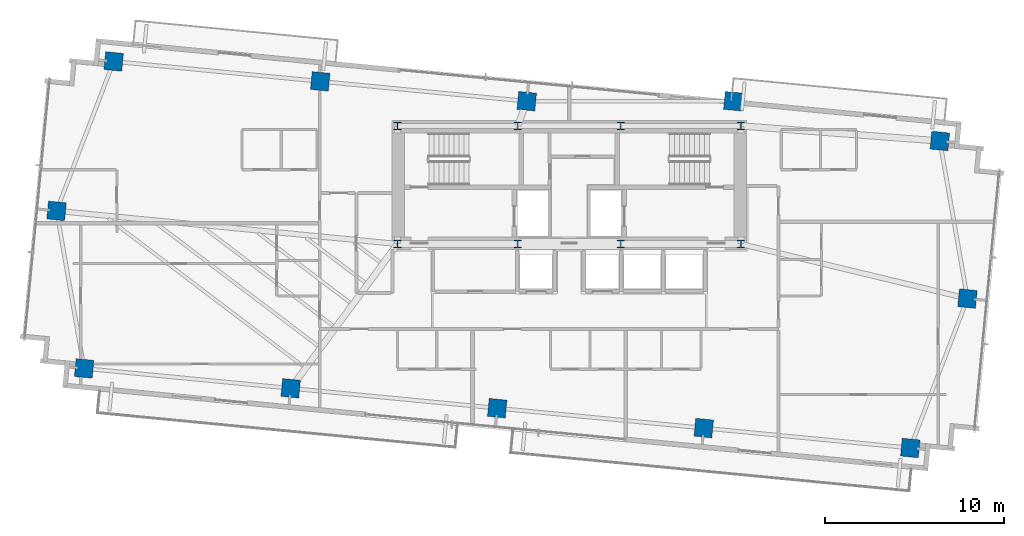
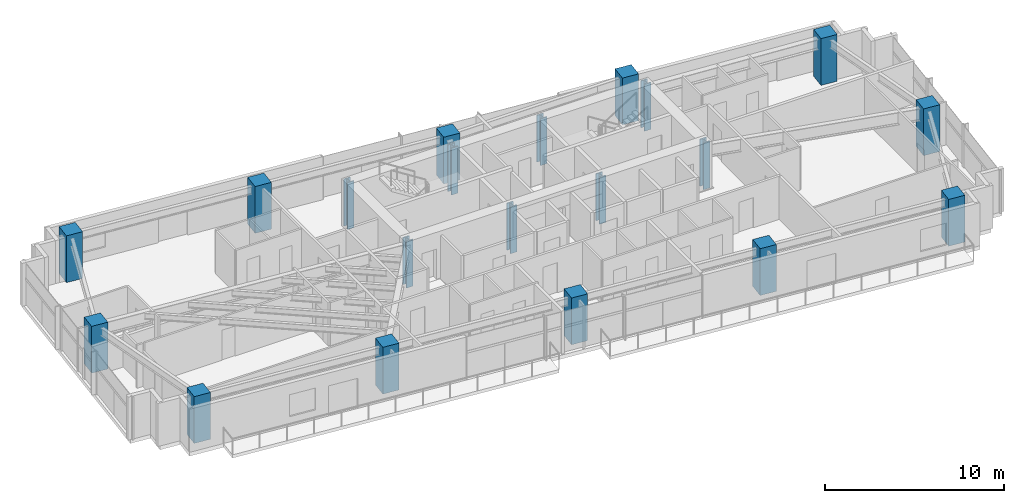
# One storey, part 1 of 20: 20 columns.
"""IFC4 building model written with IfcOpenShell, lengths in metres."""

from ifc_helpers import new_model, si_unit, direction, frame, origin, origin_2d, place, context, subcontext, project, spatial, rectangle, i_section, extrude, source, transform, mapped, material, material_profile, profile_set, type_object, type_shapes, element, save


model = new_model("IFC4")

# Units and contexts
model_context = context("Model", 3, precision=1e-05, world=origin(), true_north=direction((0.0, 1.0)))
body_context = subcontext(model_context, "Body", "Model", "MODEL_VIEW")
ifc_project = project(units=[si_unit("LENGTHUNIT", "METRE"), si_unit("AREAUNIT", "SQUARE_METRE"), si_unit("VOLUMEUNIT", "CUBIC_METRE"), si_unit("PLANEANGLEUNIT", "RADIAN"), si_unit("MASSUNIT", "GRAM", prefix="KILO")], contexts=[model_context])

# Site, building, storey
site_placement = place(None, origin())
site = spatial("IfcSite", under=ifc_project, at=site_placement, CompositionType="ELEMENT")
building_placement = place(site_placement, origin())
building = spatial("IfcBuilding", under=site, at=building_placement, Name="Astriad Promenade Condominiums", CompositionType="ELEMENT")
storey_placement = place(building_placement, frame((0.0, 0.0, 156.60009765625)))
storey = spatial("IfcBuildingStorey", under=building, at=storey_placement, Name="L45", CompositionType="ELEMENT", Elevation=156.60009765625)

# Columns
ifc_material_1 = material(Name="Steel ASTM A992 Grade 50", Category="steel")
ifc_material_profile_1 = material_profile(ifc_material_1, i_section(OverallWidth=0.42138671875, OverallDepth=0.464599609375, WebThickness=0.044921875, FlangeThickness=0.072509765625, FilletRadius=0.017822265625, at=origin_2d()), Name="W14X398")
ifc_profile_set_1 = profile_set([ifc_material_profile_1], Name="Steel ASTM A992 Grade 50")
column_type_1 = type_object("IfcColumnType", Name="STEEL CORE PILASTER W14X398", PredefinedType="PILASTER", material=ifc_profile_set_1)
shared_shape_1 = source(origin(), body_context, "Body", "SweptSolid", [
    extrude(i_section(OverallWidth=0.42138671875, OverallDepth=0.464599609375, WebThickness=0.044921875, FlangeThickness=0.072509765625, FilletRadius=0.017822265625, at=origin_2d()), origin(), (0.0, 0.0, 1.0), 3.196044921875),
])
type_shapes(column_type_1, [shared_shape_1])
for number, where, z_axis, x_axis, name in (
    (1, (26.39990234375, 17.39990234375, 0.001953125), (0.0, 0.0, 1.0), (1.0, 0.0, 0.0), "Core Pilaster Column CP1 (L45)"),
    (2, (33.1201171875, 17.39990234375, 0.001953125), (0.0, 0.0, 1.0), (1.0, 0.0, 0.0), "Core Pilaster Column CP2 (L45)"),
    (3, (38.8798828125, 17.39990234375, 0.001953125), (0.0, 0.0, 1.0), (1.0, 0.0, 0.0), "Core Pilaster Column CP3 (L45)"),
    (4, (45.60009765625, 17.39990234375, 0.001953125), (0.0, 0.0, 1.0), (1.0, 0.0, 0.0), "Core Pilaster Column CP4 (L45)"),
    (5, (26.39990234375, 24.0, 0.001953125), (0.0, 0.0, 1.0), (1.0, 0.0, 0.0), "Core Pilaster Column CP5 (L45)"),
    (6, (33.1201171875, 24.0, 0.001953125), (0.0, 0.0, 1.0), (1.0, 0.0, 0.0), "Core Pilaster Column CP6 (L45)"),
    (7, (38.8798828125, 24.0, 0.001953125), (0.0, 0.0, 1.0), (1.0, 0.0, 0.0), "Core Pilaster Column CP7 (L45)"),
    (8, (45.60009765625, 24.0, 0.001953125), (0.0, 0.0, 1.0), (1.0, 0.0, 0.0), "Core Pilaster Column CP8 (L45)"),
):
    element("IfcColumn", number, at=place(storey_placement, frame(where, z_axis=z_axis, x_axis=x_axis)), inside=storey, type_object=column_type_1, Name=name, PredefinedType="PILASTER", context=body_context, shape_type="MappedRepresentation", body=[
        mapped(shared_shape_1, transform((0.0, 0.0, 0.0), scale=1.0)),
    ])
ifc_material_2 = material(Name="Concrete C60/75", Category="concrete")
ifc_material_profile_2 = material_profile(ifc_material_2, rectangle(XDim=1.0, YDim=1.0, at=origin_2d()), Name="RC-COL-1000X1000")
ifc_profile_set_2 = profile_set([ifc_material_profile_2], Name="Concrete C60/75")
column_type_2 = type_object("IfcColumnType", Name="CONCRETE TOWER COLUMN 1000X1000", PredefinedType="COLUMN", material=ifc_profile_set_2)
shared_shape_2 = source(origin(), body_context, "Body", "SweptSolid", [
    extrude(rectangle(XDim=1.0, YDim=1.0, at=origin_2d()), origin(), (0.0, 0.0, 1.0), 3.196044921875),
])
type_shapes(column_type_2, [shared_shape_2])
for number, where, z_axis, x_axis, name in (
    (9, (8.880615234375, 10.443359375, 0.001953125), (0.0, 0.0, 1.0), (0.995396198367, -0.09584575252, 0.0), "Perimeter Column PC01 (L45)"),
    (10, (20.42724609375, 9.33154296875, 0.001953125), (0.0, 0.0, 1.0), (0.995396198367, -0.09584575252, 0.0), "Perimeter Column PC02 (L45)"),
    (11, (31.973876953125, 8.2197265625, 0.001953125), (0.0, 0.0, 1.0), (0.995396198367, -0.09584575252, 0.0), "Perimeter Column PC03 (L45)"),
    (12, (43.5205078125, 7.10791015625, 0.001953125), (0.0, 0.0, 1.0), (0.995396198367, -0.09584575252, 0.0), "Perimeter Column PC04 (L45)"),
    (13, (55.06689453125, 5.99609375, 0.001953125), (0.0, 0.0, 1.0), (0.995396198367, -0.09584575252, 0.0), "Perimeter Column PC05 (L45)"),
    (14, (10.532958984375, 27.60400390625, 0.001953125), (0.0, 0.0, 1.0), (0.995396198367, -0.09584575252, 0.0), "Perimeter Column PC06 (L45)"),
    (15, (22.07958984375, 26.4921875, 0.001953125), (0.0, 0.0, 1.0), (0.995396198367, -0.09584575252, 0.0), "Perimeter Column PC07 (L45)"),
    (16, (33.626220703125, 25.38037109375, 0.001953125), (0.0, 0.0, 1.0), (0.995396198367, -0.09584575252, 0.0), "Perimeter Column PC08 (L45)"),
    (17, (45.1728515625, 25.3798828125, 0.001953125), (0.0, 0.0, 1.0), (0.995396198367, -0.09584575252, 0.0), "Perimeter Column PC09 (L45)"),
    (18, (56.719482421875, 23.15673828125, 0.001953125), (0.0, 0.0, 1.0), (0.995396198367, -0.09584575252, 0.0), "Perimeter Column PC10 (L45)"),
    (19, (7.337890625, 19.251708984375, 0.001953125), (0.0, 0.0, 1.0), (0.995396198367, -0.09584575252, 0.0), "Perimeter Column PC11 (L45)"),
    (20, (58.26220703125, 14.348388671875, 0.001953125), (0.0, 0.0, 1.0), (0.995396198367, -0.09584575252, 0.0), "Perimeter Column PC12 (L45)"),
):
    element("IfcColumn", number, at=place(storey_placement, frame(where, z_axis=z_axis, x_axis=x_axis)), inside=storey, type_object=column_type_2, Name=name, PredefinedType="COLUMN", context=body_context, shape_type="MappedRepresentation", body=[
        mapped(shared_shape_2, transform((0.0, 0.0, 0.0), scale=1.0)),
    ])

save(model, "model.ifc")
